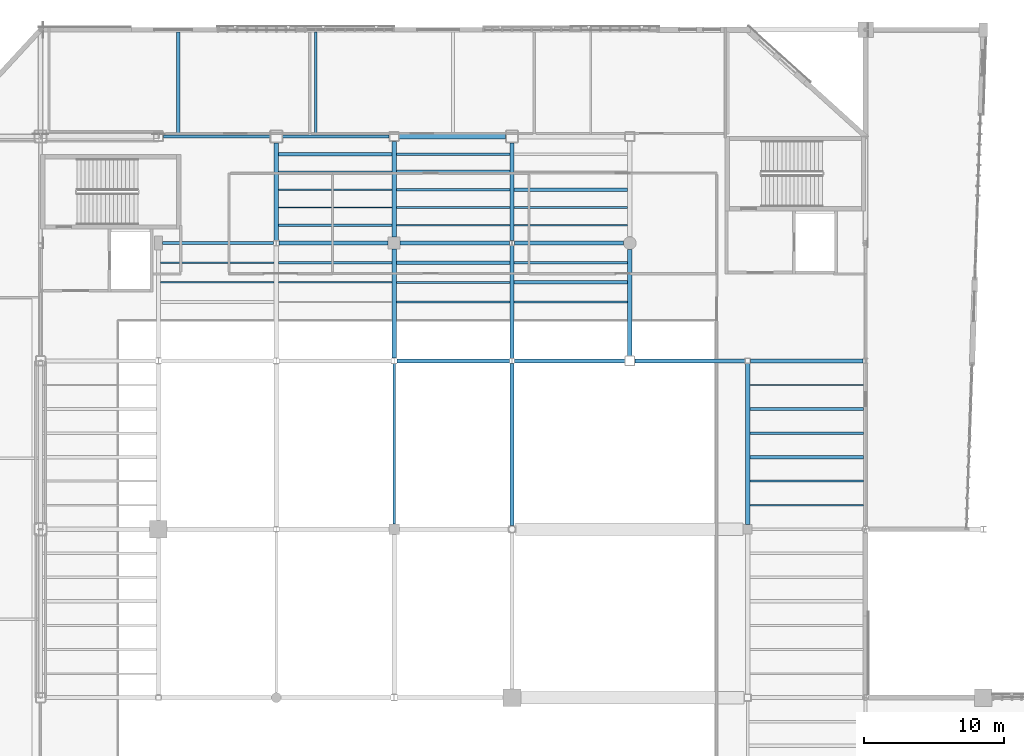
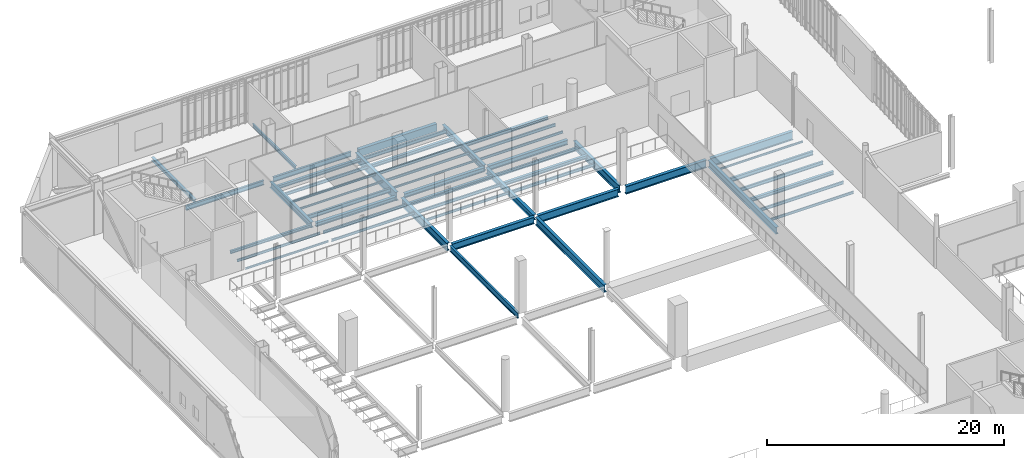
# One storey, part 34 of 127: 51 beams.
"""IFC4 building model written with IfcOpenShell, lengths in metres."""

from ifc_helpers import new_model, si_unit, direction, frame, origin, origin_2d, place, context, subcontext, project, spatial, rectangle, i_section, extrude, material, material_profile, profile_set, type_object, element, save


model = new_model("IFC4")

# Units and contexts
model_context = context("Model", 3, precision=1e-05, world=origin(), true_north=direction((0.0, 1.0)))
body_context = subcontext(model_context, "Body", "Model", "MODEL_VIEW")
ifc_project = project(units=[si_unit("LENGTHUNIT", "METRE"), si_unit("AREAUNIT", "SQUARE_METRE"), si_unit("VOLUMEUNIT", "CUBIC_METRE"), si_unit("PLANEANGLEUNIT", "RADIAN"), si_unit("MASSUNIT", "GRAM", prefix="KILO")], contexts=[model_context])

# Site, building, storey
site_placement = place(None, origin())
site = spatial("IfcSite", under=ifc_project, at=site_placement, CompositionType="ELEMENT")
building_placement = place(site_placement, origin())
building = spatial("IfcBuilding", under=site, at=building_placement, Name="Larkvane Passage Sports Hall", CompositionType="ELEMENT")
storey_placement = place(building_placement, frame((0.0, 0.0, 5.39990234375)))
storey = spatial("IfcBuildingStorey", under=building, at=storey_placement, Name="L01", CompositionType="ELEMENT", Elevation=5.39990234375)

# Beams
ifc_material_1 = material(Name="Steel S355JR", Category="steel")
ifc_material_profile_1 = material_profile(ifc_material_1, i_section(OverallWidth=0.199951171875, OverallDepth=0.2939453125, WebThickness=0.008056640625, FlangeThickness=0.011962890625, FilletRadius=0.012939453125, at=origin_2d()), Name="H-294x200x8x12")
ifc_profile_set_1 = profile_set([ifc_material_profile_1], Name="Steel S355JR")
beam_type_1 = type_object("IfcBeamType", Name="BM-STL-H294", PredefinedType="BEAM", material=ifc_profile_set_1)
beam_1_placement = place(storey_placement, frame((43.5, 84.0, -0.56689453125), z_axis=(1.0, 0.0, 0.0), x_axis=(0.0, 1.0, 0.0)))
element("IfcBeam", 1, at=beam_1_placement, inside=storey, type_object=beam_type_1, Name="Girder BM5-X-L01-K-0430", PredefinedType="BEAM", context=body_context, shape_type="SweptSolid", body=[
    extrude(i_section(OverallWidth=0.199951171875, OverallDepth=0.2939453125, WebThickness=0.008056640625, FlangeThickness=0.011962890625, FilletRadius=0.012939453125, at=origin_2d()), origin(), (0.0, 0.0, 1.0), 7.89990234375),
])
ifc_material_profile_2 = material_profile(ifc_material_1, i_section(OverallWidth=0.300048828125, OverallDepth=0.389892578125, WebThickness=0.010009765625, FlangeThickness=0.01611328125, FilletRadius=0.01806640625, at=origin_2d()), Name="H-390x300x10x16")
ifc_profile_set_2 = profile_set([ifc_material_profile_2], Name="Steel S355JR")
beam_type_2 = type_object("IfcBeamType", Name="BM-STL-H390", PredefinedType="BEAM", material=ifc_profile_set_2)
beam_2_placement = place(storey_placement, frame((51.800048828125, 84.0, -0.614990234375), z_axis=(1.0, 0.0, 0.0), x_axis=(0.0, 1.0, 0.0)))
element("IfcBeam", 2, at=beam_2_placement, inside=storey, type_object=beam_type_2, Name="Girder BM5-X-L01-K-0431", PredefinedType="BEAM", context=body_context, shape_type="SweptSolid", body=[
    extrude(i_section(OverallWidth=0.300048828125, OverallDepth=0.389892578125, WebThickness=0.010009765625, FlangeThickness=0.01611328125, FilletRadius=0.01806640625, at=origin_2d()), origin(), (0.0, 0.0, 1.0), 7.77490234375),
])
ifc_material_profile_3 = material_profile(ifc_material_1, i_section(OverallWidth=0.300048828125, OverallDepth=0.43994140625, WebThickness=0.010986328125, FlangeThickness=0.01806640625, FilletRadius=0.01806640625, at=origin_2d()), Name="H-440x300x11x18")
ifc_profile_set_3 = profile_set([ifc_material_profile_3], Name="Steel S355JR")
beam_type_3 = type_object("IfcBeamType", Name="BM-STL-H440", PredefinedType="BEAM", material=ifc_profile_set_3)
beam_3_placement = place(storey_placement, frame((60.425048828125, 84.0, -0.639892578125), z_axis=(1.0, 0.0, 0.0), x_axis=(0.0, 1.0, 0.0)))
element("IfcBeam", 3, at=beam_3_placement, inside=storey, type_object=beam_type_3, Name="Girder BM5-X-L01-K-0432", PredefinedType="BEAM", context=body_context, shape_type="SweptSolid", body=[
    extrude(i_section(OverallWidth=0.300048828125, OverallDepth=0.43994140625, WebThickness=0.010986328125, FlangeThickness=0.01806640625, FilletRadius=0.01806640625, at=origin_2d()), origin(), (0.0, 0.0, 1.0), 7.800048828125),
])
ifc_material_profile_4 = material_profile(ifc_material_1, i_section(OverallWidth=0.300048828125, OverallDepth=0.488037109375, WebThickness=0.010986328125, FlangeThickness=0.01806640625, FilletRadius=0.02197265625, at=origin_2d()), Name="H-488x300x11x18")
ifc_profile_set_4 = profile_set([ifc_material_profile_4], Name="Steel S355JR")
beam_type_4 = type_object("IfcBeamType", Name="BM-STL-H488", PredefinedType="BEAM", material=ifc_profile_set_4)
beam_4_placement = place(storey_placement, frame((68.574951171875, 84.0, -0.663818359375), z_axis=(1.0, 0.0, 0.0), x_axis=(0.0, 1.0, 0.0)))
element("IfcBeam", 4, at=beam_4_placement, inside=storey, type_object=beam_type_4, Name="Girder BM5-X-L01-K-0433", PredefinedType="BEAM", context=body_context, shape_type="SweptSolid", body=[
    extrude(i_section(OverallWidth=0.300048828125, OverallDepth=0.488037109375, WebThickness=0.010986328125, FlangeThickness=0.01806640625, FilletRadius=0.02197265625, at=origin_2d()), origin(), (0.0, 0.0, 1.0), 7.775146484375),
])
ifc_material_2 = material(Name="Steel S460N", Category="steel")
ifc_material_profile_5 = material_profile(ifc_material_2, i_section(OverallWidth=0.300048828125, OverallDepth=0.58203125, WebThickness=0.011962890625, FlangeThickness=0.01708984375, FilletRadius=0.02197265625, at=origin_2d()), Name="H-582x300x12x17")
ifc_profile_set_5 = profile_set([ifc_material_profile_5], Name="Steel S460N")
beam_type_5 = type_object("IfcBeamType", Name="BM-STL-H582", PredefinedType="BEAM", material=ifc_profile_set_5)
beam_5_placement = place(storey_placement, frame((51.60009765625, 84.199951171875, -0.7109375), z_axis=(0.0, 1.0, 0.0), x_axis=(-1.0, 0.0, 0.0)))
element("IfcBeam", 5, at=beam_5_placement, inside=storey, type_object=beam_type_5, Name="Girder BM5-Y-L01-8-0460", PredefinedType="BEAM", context=body_context, shape_type="SweptSolid", body=[
    extrude(i_section(OverallWidth=0.300048828125, OverallDepth=0.58203125, WebThickness=0.011962890625, FlangeThickness=0.01708984375, FilletRadius=0.02197265625, at=origin_2d()), origin(), (0.0, 0.0, 1.0), 6.949951171875),
])
beam_6_placement = place(storey_placement, frame((68.39990234375, 75.77490234375, -0.7109375), z_axis=(0.0, 1.0, 0.0), x_axis=(-1.0, 0.0, 0.0)))
element("IfcBeam", 6, at=beam_6_placement, inside=storey, type_object=beam_type_5, Name="Girder BM5-Y-L01-10-0473", PredefinedType="BEAM", context=body_context, shape_type="SweptSolid", body=[
    extrude(i_section(OverallWidth=0.300048828125, OverallDepth=0.58203125, WebThickness=0.011962890625, FlangeThickness=0.01708984375, FilletRadius=0.02197265625, at=origin_2d()), origin(), (0.0, 0.0, 1.0), 8.050048828125),
])
ifc_material_profile_6 = material_profile(ifc_material_2, i_section(OverallWidth=0.300048828125, OverallDepth=0.587890625, WebThickness=0.011962890625, FlangeThickness=0.02001953125, FilletRadius=0.02197265625, at=origin_2d()), Name="H-588x300x12x20")
ifc_profile_set_6 = profile_set([ifc_material_profile_6], Name="Steel S460N")
beam_type_6 = type_object("IfcBeamType", Name="BM-STL-H588", PredefinedType="BEAM", material=ifc_profile_set_6)
beam_7_placement = place(storey_placement, frame((68.39990234375, 84.175048828125, -0.7138671875), z_axis=(0.0, 1.0, 0.0), x_axis=(-1.0, 0.0, 0.0)))
element("IfcBeam", 7, at=beam_7_placement, inside=storey, type_object=beam_type_6, Name="Girder BM5-Y-L01-10-0474", PredefinedType="BEAM", context=body_context, shape_type="SweptSolid", body=[
    extrude(i_section(OverallWidth=0.300048828125, OverallDepth=0.587890625, WebThickness=0.011962890625, FlangeThickness=0.02001953125, FilletRadius=0.02197265625, at=origin_2d()), origin(), (0.0, 0.0, 1.0), 6.974853515625),
])
ifc_material_profile_7 = material_profile(ifc_material_1, i_section(OverallWidth=0.199951171875, OverallDepth=0.60009765625, WebThickness=0.010986328125, FlangeThickness=0.01708984375, FilletRadius=0.01806640625, at=origin_2d()), Name="H-600x200x11x17")
ifc_profile_set_7 = profile_set([ifc_material_profile_7], Name="Steel S355JR")
beam_type_7 = type_object("IfcBeamType", Name="BM-STL-H600", PredefinedType="BEAM", material=ifc_profile_set_7)
beam_8_placement = place(storey_placement, frame((60.0, 63.97509765625, -0.719970703125), z_axis=(0.0, 1.0, 0.0), x_axis=(-1.0, 0.0, 0.0)))
element("IfcBeam", 8, at=beam_8_placement, inside=storey, type_object=beam_type_7, Name="Girder BM5-Y-L01-9-0465", PredefinedType="BEAM", context=body_context, shape_type="SweptSolid", body=[
    extrude(i_section(OverallWidth=0.199951171875, OverallDepth=0.60009765625, WebThickness=0.010986328125, FlangeThickness=0.01708984375, FilletRadius=0.01806640625, at=origin_2d()), origin(), (0.0, 0.0, 1.0), 11.4248046875),
])
ifc_material_profile_8 = material_profile(ifc_material_2, i_section(OverallWidth=0.300048828125, OverallDepth=0.699951171875, WebThickness=0.012939453125, FlangeThickness=0.02392578125, FilletRadius=0.02197265625, at=origin_2d()), Name="H-700x300x13x24")
ifc_profile_set_8 = profile_set([ifc_material_profile_8], Name="Steel S460N")
beam_type_8 = type_object("IfcBeamType", Name="BM-STL-H700", PredefinedType="BEAM", material=ifc_profile_set_8)
beam_9_placement = place(storey_placement, frame((60.199951171875, 75.60009765625, -0.77001953125), z_axis=(1.0, 0.0, 0.0), x_axis=(0.0, 1.0, 0.0)))
element("IfcBeam", 9, at=beam_9_placement, inside=storey, type_object=beam_type_8, Name="Girder BM5-X-L01-J-0425", PredefinedType="BEAM", context=body_context, shape_type="SweptSolid", body=[
    extrude(i_section(OverallWidth=0.300048828125, OverallDepth=0.699951171875, WebThickness=0.012939453125, FlangeThickness=0.02392578125, FilletRadius=0.02197265625, at=origin_2d()), origin(), (0.0, 0.0, 1.0), 8.025146484375),
])
beam_10_placement = place(storey_placement, frame((85.199951171875, 63.925048828125, -0.77001953125), z_axis=(0.0, 1.0, 0.0), x_axis=(-1.0, 0.0, 0.0)))
element("IfcBeam", 10, at=beam_10_placement, inside=storey, type_object=beam_type_8, Name="Girder BM5-Y-L01-12-0483", PredefinedType="BEAM", context=body_context, shape_type="SweptSolid", body=[
    extrude(i_section(OverallWidth=0.300048828125, OverallDepth=0.699951171875, WebThickness=0.012939453125, FlangeThickness=0.02392578125, FilletRadius=0.02197265625, at=origin_2d()), origin(), (0.0, 0.0, 1.0), 11.474853515625),
])
ifc_material_profile_9 = material_profile(ifc_material_2, i_section(OverallWidth=0.300048828125, OverallDepth=0.7919921875, WebThickness=0.013916015625, FlangeThickness=0.02197265625, FilletRadius=0.02197265625, at=origin_2d()), Name="H-792x300x14x22")
ifc_profile_set_9 = profile_set([ifc_material_profile_9], Name="Steel S460N")
beam_type_9 = type_object("IfcBeamType", Name="BM-STL-H792", PredefinedType="BEAM", material=ifc_profile_set_9)
beam_11_placement = place(storey_placement, frame((68.574951171875, 75.60009765625, -0.81591796875), z_axis=(1.0, 0.0, 0.0), x_axis=(0.0, 1.0, 0.0)))
element("IfcBeam", 11, at=beam_11_placement, inside=storey, type_object=beam_type_9, Name="Girder BM5-X-L01-J-0426", PredefinedType="BEAM", context=body_context, shape_type="SweptSolid", body=[
    extrude(i_section(OverallWidth=0.300048828125, OverallDepth=0.7919921875, WebThickness=0.013916015625, FlangeThickness=0.02197265625, FilletRadius=0.02197265625, at=origin_2d()), origin(), (0.0, 0.0, 1.0), 7.875),
])
beam_12_placement = place(storey_placement, frame((68.39990234375, 63.85400390625, -0.81591796875), z_axis=(0.0, 1.0, 0.0), x_axis=(-1.0, 0.0, 0.0)))
element("IfcBeam", 12, at=beam_12_placement, inside=storey, type_object=beam_type_9, Name="Girder BM5-Y-L01-10-0472", PredefinedType="BEAM", context=body_context, shape_type="SweptSolid", body=[
    extrude(i_section(OverallWidth=0.300048828125, OverallDepth=0.7919921875, WebThickness=0.013916015625, FlangeThickness=0.02197265625, FilletRadius=0.02197265625, at=origin_2d()), origin(), (0.0, 0.0, 1.0), 11.571044921875),
])
beam_13_placement = place(storey_placement, frame((76.800048828125, 75.949951171875, -0.81591796875), z_axis=(0.0, 1.0, 0.0), x_axis=(-1.0, 0.0, 0.0)))
element("IfcBeam", 13, at=beam_13_placement, inside=storey, type_object=beam_type_9, Name="Girder BM5-Y-L01-11-0478", PredefinedType="BEAM", context=body_context, shape_type="SweptSolid", body=[
    extrude(i_section(OverallWidth=0.300048828125, OverallDepth=0.7919921875, WebThickness=0.013916015625, FlangeThickness=0.02197265625, FilletRadius=0.02197265625, at=origin_2d()), origin(), (0.0, 0.0, 1.0), 7.60009765625),
])
ifc_material_profile_10 = material_profile(ifc_material_2, i_section(OverallWidth=0.300048828125, OverallDepth=0.800048828125, WebThickness=0.013916015625, FlangeThickness=0.02587890625, FilletRadius=0.02197265625, at=origin_2d()), Name="H-800x300x14x26")
ifc_profile_set_10 = profile_set([ifc_material_profile_10], Name="Steel S460N")
beam_type_10 = type_object("IfcBeamType", Name="BM-STL-H800", PredefinedType="BEAM", material=ifc_profile_set_10)
beam_14_placement = place(storey_placement, frame((77.14990234375, 75.60009765625, -0.81982421875), z_axis=(1.0, 0.0, 0.0), x_axis=(0.0, 1.0, 0.0)))
element("IfcBeam", 14, at=beam_14_placement, inside=storey, type_object=beam_type_10, Name="Girder BM5-X-L01-J-0427", PredefinedType="BEAM", context=body_context, shape_type="SweptSolid", body=[
    extrude(i_section(OverallWidth=0.300048828125, OverallDepth=0.800048828125, WebThickness=0.013916015625, FlangeThickness=0.02587890625, FilletRadius=0.02197265625, at=origin_2d()), origin(), (0.0, 0.0, 1.0), 7.85009765625),
])
beam_15_placement = place(storey_placement, frame((60.0, 75.800048828125, -0.81982421875), z_axis=(0.0, 1.0, 0.0), x_axis=(-1.0, 0.0, 0.0)))
element("IfcBeam", 15, at=beam_15_placement, inside=storey, type_object=beam_type_10, Name="Girder BM5-Y-L01-9-0466", PredefinedType="BEAM", context=body_context, shape_type="SweptSolid", body=[
    extrude(i_section(OverallWidth=0.300048828125, OverallDepth=0.800048828125, WebThickness=0.013916015625, FlangeThickness=0.02587890625, FilletRadius=0.02197265625, at=origin_2d()), origin(), (0.0, 0.0, 1.0), 7.77490234375),
])
ifc_material_profile_11 = material_profile(ifc_material_2, i_section(OverallWidth=0.299072265625, OverallDepth=0.889892578125, WebThickness=0.014892578125, FlangeThickness=0.02294921875, FilletRadius=0.02197265625, at=origin_2d()), Name="H-890x299x15x23")
ifc_profile_set_11 = profile_set([ifc_material_profile_11], Name="Steel S460N")
beam_type_11 = type_object("IfcBeamType", Name="BM-STL-H890", PredefinedType="BEAM", material=ifc_profile_set_11)
beam_16_placement = place(storey_placement, frame((85.39990234375, 75.60009765625, -0.864990234375), z_axis=(1.0, 0.0, 0.0), x_axis=(0.0, 1.0, 0.0)))
element("IfcBeam", 16, at=beam_16_placement, inside=storey, type_object=beam_type_11, Name="Girder BM5-X-L01-J-0428", PredefinedType="BEAM", context=body_context, shape_type="SweptSolid", body=[
    extrude(i_section(OverallWidth=0.299072265625, OverallDepth=0.889892578125, WebThickness=0.014892578125, FlangeThickness=0.02294921875, FilletRadius=0.02197265625, at=origin_2d()), origin(), (0.0, 0.0, 1.0), 8.025146484375),
])
beam_17_placement = place(storey_placement, frame((60.0, 84.425048828125, -0.864990234375), z_axis=(0.0, 1.0, 0.0), x_axis=(-1.0, 0.0, 0.0)))
element("IfcBeam", 17, at=beam_17_placement, inside=storey, type_object=beam_type_11, Name="Girder BM5-Y-L01-9-0467", PredefinedType="BEAM", context=body_context, shape_type="SweptSolid", body=[
    extrude(i_section(OverallWidth=0.299072265625, OverallDepth=0.889892578125, WebThickness=0.014892578125, FlangeThickness=0.02294921875, FilletRadius=0.02197265625, at=origin_2d()), origin(), (0.0, 0.0, 1.0), 6.824951171875),
])
ifc_material_profile_12 = material_profile(ifc_material_1, i_section(OverallWidth=0.10009765625, OverallDepth=0.199951171875, WebThickness=0.005615234375, FlangeThickness=0.008056640625, FilletRadius=0.008056640625, at=origin_2d()), Name="H-200x100x5.5x8")
ifc_profile_set_12 = profile_set([ifc_material_profile_12], Name="Steel S355JR")
beam_type_12 = type_object("IfcBeamType", Name="JST-STL-H200", PredefinedType="JOIST", material=ifc_profile_set_12)
beam_18_placement = place(storey_placement, frame((43.35009765625, 81.199951171875, -0.52001953125), z_axis=(1.0, 0.0, 0.0), x_axis=(0.0, 1.0, 0.0)))
element("IfcBeam", 18, at=beam_18_placement, inside=storey, type_object=beam_type_12, Name="Composite joist L01 7/J-4", PredefinedType="JOIST", context=body_context, shape_type="SweptSolid", body=[
    extrude(i_section(OverallWidth=0.10009765625, OverallDepth=0.199951171875, WebThickness=0.005615234375, FlangeThickness=0.008056640625, FilletRadius=0.008056640625, at=origin_2d()), origin(), (0.0, 0.0, 1.0), 8.099853515625),
])
for number, where, z_axis, x_axis, name in (
    (19, (51.75, 86.533447265625, -0.52001953125), (1.0, 0.0, 0.0), (0.0, 1.0, 0.0), "Composite joist L01 8/K-2"),
    (20, (60.1494140625, 85.2666015625, -0.52001953125), (1.0, 0.0, 0.0), (0.0, 1.0, 0.0), "Composite joist L01 9/K-1"),
):
    element("IfcBeam", number, at=place(storey_placement, frame(where, z_axis=z_axis, x_axis=x_axis)), inside=storey, type_object=beam_type_12, Name=name, PredefinedType="JOIST", context=body_context, shape_type="SweptSolid", body=[
        extrude(i_section(OverallWidth=0.10009765625, OverallDepth=0.199951171875, WebThickness=0.005615234375, FlangeThickness=0.008056640625, FilletRadius=0.008056640625, at=origin_2d()), origin(), (0.0, 0.0, 1.0), 8.1005859375),
    ])
beam_19_placement = place(storey_placement, frame((85.35009765625, 73.8857421875, -0.52001953125), z_axis=(1.0, 0.0, 0.0), x_axis=(0.0, 1.0, 0.0)))
element("IfcBeam", 21, at=beam_19_placement, inside=storey, type_object=beam_type_12, Name="Composite joist L01 12/H-6", PredefinedType="JOIST", context=body_context, shape_type="SweptSolid", body=[
    extrude(i_section(OverallWidth=0.10009765625, OverallDepth=0.199951171875, WebThickness=0.005615234375, FlangeThickness=0.008056640625, FilletRadius=0.008056640625, at=origin_2d()), origin(), (0.0, 0.0, 1.0), 8.099853515625),
])
ifc_material_profile_13 = material_profile(ifc_material_1, i_section(OverallWidth=0.125, OverallDepth=0.25, WebThickness=0.006103515625, FlangeThickness=0.009033203125, FilletRadius=0.008056640625, at=origin_2d()), Name="H-250x125x6x9")
ifc_profile_set_13 = profile_set([ifc_material_profile_13], Name="Steel S355JR")
beam_type_13 = type_object("IfcBeamType", Name="JST-STL-H250", PredefinedType="JOIST", material=ifc_profile_set_13)
beam_20_placement = place(storey_placement, frame((43.35009765625, 82.60009765625, -0.544921875), z_axis=(1.0, 0.0, 0.0), x_axis=(0.0, 1.0, 0.0)))
element("IfcBeam", 22, at=beam_20_placement, inside=storey, type_object=beam_type_13, Name="Composite joist L01 7/J-5", PredefinedType="JOIST", context=body_context, shape_type="SweptSolid", body=[
    extrude(i_section(OverallWidth=0.125, OverallDepth=0.25, WebThickness=0.006103515625, FlangeThickness=0.009033203125, FilletRadius=0.008056640625, at=origin_2d()), origin(), (0.0, 0.0, 1.0), 8.099853515625),
])
beam_21_placement = place(storey_placement, frame((51.75, 81.199951171875, -0.544921875), z_axis=(1.0, 0.0, 0.0), x_axis=(0.0, 1.0, 0.0)))
element("IfcBeam", 23, at=beam_21_placement, inside=storey, type_object=beam_type_13, Name="Composite joist L01 8/J-4", PredefinedType="JOIST", context=body_context, shape_type="SweptSolid", body=[
    extrude(i_section(OverallWidth=0.125, OverallDepth=0.25, WebThickness=0.006103515625, FlangeThickness=0.009033203125, FilletRadius=0.008056640625, at=origin_2d()), origin(), (0.0, 0.0, 1.0), 8.10009765625),
])
beam_22_placement = place(storey_placement, frame((51.75, 87.800048828125, -0.544921875), z_axis=(1.0, 0.0, 0.0), x_axis=(0.0, 1.0, 0.0)))
element("IfcBeam", 24, at=beam_22_placement, inside=storey, type_object=beam_type_13, Name="Composite joist L01 8/K-3", PredefinedType="JOIST", context=body_context, shape_type="SweptSolid", body=[
    extrude(i_section(OverallWidth=0.125, OverallDepth=0.25, WebThickness=0.006103515625, FlangeThickness=0.009033203125, FilletRadius=0.008056640625, at=origin_2d()), origin(), (0.0, 0.0, 1.0), 8.1005859375),
])
beam_23_placement = place(storey_placement, frame((60.14990234375, 79.800048828125, -0.544921875), z_axis=(1.0, 0.0, 0.0), x_axis=(0.0, 1.0, 0.0)))
element("IfcBeam", 25, at=beam_23_placement, inside=storey, type_object=beam_type_13, Name="Composite joist L01 9/J-3", PredefinedType="JOIST", context=body_context, shape_type="SweptSolid", body=[
    extrude(i_section(OverallWidth=0.125, OverallDepth=0.25, WebThickness=0.006103515625, FlangeThickness=0.009033203125, FilletRadius=0.008056640625, at=origin_2d()), origin(), (0.0, 0.0, 1.0), 8.10009765625),
])
beam_24_placement = place(storey_placement, frame((60.1494140625, 86.533447265625, -0.544921875), z_axis=(1.0, 0.0, 0.0), x_axis=(0.0, 1.0, 0.0)))
element("IfcBeam", 26, at=beam_24_placement, inside=storey, type_object=beam_type_13, Name="Composite joist L01 9/K-2", PredefinedType="JOIST", context=body_context, shape_type="SweptSolid", body=[
    extrude(i_section(OverallWidth=0.125, OverallDepth=0.25, WebThickness=0.006103515625, FlangeThickness=0.009033203125, FilletRadius=0.008056640625, at=origin_2d()), origin(), (0.0, 0.0, 1.0), 8.1005859375),
])
for number, where, z_axis, x_axis, name in (
    (27, (68.550048828125, 85.2666015625, -0.544921875), (1.0, 0.0, 0.0), (0.0, 1.0, 0.0), "Composite joist L01 10/K-1"),
    (28, (85.35009765625, 65.314208984375, -0.544921875), (1.0, 0.0, 0.0), (0.0, 1.0, 0.0), "Composite joist L01 12/H-1"),
):
    element("IfcBeam", number, at=place(storey_placement, frame(where, z_axis=z_axis, x_axis=x_axis)), inside=storey, type_object=beam_type_13, Name=name, PredefinedType="JOIST", context=body_context, shape_type="SweptSolid", body=[
        extrude(i_section(OverallWidth=0.125, OverallDepth=0.25, WebThickness=0.006103515625, FlangeThickness=0.009033203125, FilletRadius=0.008056640625, at=origin_2d()), origin(), (0.0, 0.0, 1.0), 8.099853515625),
    ])
ifc_material_profile_14 = material_profile(ifc_material_1, i_section(OverallWidth=0.14990234375, OverallDepth=0.300048828125, WebThickness=0.006591796875, FlangeThickness=0.009033203125, FilletRadius=0.012939453125, at=origin_2d()), Name="H-300x150x6.5x9")
ifc_profile_set_14 = profile_set([ifc_material_profile_14], Name="Steel S355JR")
beam_type_14 = type_object("IfcBeamType", Name="JST-STL-H300", PredefinedType="JOIST", material=ifc_profile_set_14)
beam_25_placement = place(storey_placement, frame((51.75, 82.60009765625, -0.56982421875), z_axis=(1.0, 0.0, 0.0), x_axis=(0.0, 1.0, 0.0)))
element("IfcBeam", 29, at=beam_25_placement, inside=storey, type_object=beam_type_14, Name="Composite joist L01 8/J-5", PredefinedType="JOIST", context=body_context, shape_type="SweptSolid", body=[
    extrude(i_section(OverallWidth=0.14990234375, OverallDepth=0.300048828125, WebThickness=0.006591796875, FlangeThickness=0.009033203125, FilletRadius=0.012939453125, at=origin_2d()), origin(), (0.0, 0.0, 1.0), 8.10009765625),
])
beam_26_placement = place(storey_placement, frame((51.75, 89.066650390625, -0.56982421875), z_axis=(1.0, 0.0, 0.0), x_axis=(0.0, 1.0, 0.0)))
element("IfcBeam", 30, at=beam_26_placement, inside=storey, type_object=beam_type_14, Name="Composite joist L01 8/K-4", PredefinedType="JOIST", context=body_context, shape_type="SweptSolid", body=[
    extrude(i_section(OverallWidth=0.14990234375, OverallDepth=0.300048828125, WebThickness=0.006591796875, FlangeThickness=0.009033203125, FilletRadius=0.012939453125, at=origin_2d()), origin(), (0.0, 0.0, 1.0), 8.1005859375),
])
beam_27_placement = place(storey_placement, frame((60.14990234375, 81.199951171875, -0.56982421875), z_axis=(1.0, 0.0, 0.0), x_axis=(0.0, 1.0, 0.0)))
element("IfcBeam", 31, at=beam_27_placement, inside=storey, type_object=beam_type_14, Name="Composite joist L01 9/J-4", PredefinedType="JOIST", context=body_context, shape_type="SweptSolid", body=[
    extrude(i_section(OverallWidth=0.14990234375, OverallDepth=0.300048828125, WebThickness=0.006591796875, FlangeThickness=0.009033203125, FilletRadius=0.012939453125, at=origin_2d()), origin(), (0.0, 0.0, 1.0), 8.10009765625),
])
beam_28_placement = place(storey_placement, frame((60.1494140625, 87.800048828125, -0.56982421875), z_axis=(1.0, 0.0, 0.0), x_axis=(0.0, 1.0, 0.0)))
element("IfcBeam", 32, at=beam_28_placement, inside=storey, type_object=beam_type_14, Name="Composite joist L01 9/K-3", PredefinedType="JOIST", context=body_context, shape_type="SweptSolid", body=[
    extrude(i_section(OverallWidth=0.14990234375, OverallDepth=0.300048828125, WebThickness=0.006591796875, FlangeThickness=0.009033203125, FilletRadius=0.012939453125, at=origin_2d()), origin(), (0.0, 0.0, 1.0), 8.1005859375),
])
for number, where, z_axis, x_axis, name in (
    (33, (68.550048828125, 79.800048828125, -0.56982421875), (1.0, 0.0, 0.0), (0.0, 1.0, 0.0), "Composite joist L01 10/J-3"),
    (34, (68.550048828125, 86.533447265625, -0.56982421875), (1.0, 0.0, 0.0), (0.0, 1.0, 0.0), "Composite joist L01 10/K-2"),
    (35, (85.35009765625, 67.028564453125, -0.56982421875), (1.0, 0.0, 0.0), (0.0, 1.0, 0.0), "Composite joist L01 12/H-2"),
):
    element("IfcBeam", number, at=place(storey_placement, frame(where, z_axis=z_axis, x_axis=x_axis)), inside=storey, type_object=beam_type_14, Name=name, PredefinedType="JOIST", context=body_context, shape_type="SweptSolid", body=[
        extrude(i_section(OverallWidth=0.14990234375, OverallDepth=0.300048828125, WebThickness=0.006591796875, FlangeThickness=0.009033203125, FilletRadius=0.012939453125, at=origin_2d()), origin(), (0.0, 0.0, 1.0), 8.099853515625),
    ])
ifc_material_profile_15 = material_profile(ifc_material_1, i_section(OverallWidth=0.25, OverallDepth=0.340087890625, WebThickness=0.009033203125, FlangeThickness=0.013916015625, FilletRadius=0.012939453125, at=origin_2d()), Name="H-340x250x9x14")
ifc_profile_set_15 = profile_set([ifc_material_profile_15], Name="Steel S355JR")
beam_type_15 = type_object("IfcBeamType", Name="JST-STL-H340", PredefinedType="JOIST", material=ifc_profile_set_15)
beam_29_placement = place(storey_placement, frame((51.75, 90.333251953125, -0.58984375), z_axis=(1.0, 0.0, 0.0), x_axis=(0.0, 1.0, 0.0)))
element("IfcBeam", 36, at=beam_29_placement, inside=storey, type_object=beam_type_15, Name="Composite joist L01 8/K-5", PredefinedType="JOIST", context=body_context, shape_type="SweptSolid", body=[
    extrude(i_section(OverallWidth=0.25, OverallDepth=0.340087890625, WebThickness=0.009033203125, FlangeThickness=0.013916015625, FilletRadius=0.012939453125, at=origin_2d()), origin(), (0.0, 0.0, 1.0), 8.1005859375),
])
beam_30_placement = place(storey_placement, frame((60.14990234375, 82.60009765625, -0.58984375), z_axis=(1.0, 0.0, 0.0), x_axis=(0.0, 1.0, 0.0)))
element("IfcBeam", 37, at=beam_30_placement, inside=storey, type_object=beam_type_15, Name="Composite joist L01 9/J-5", PredefinedType="JOIST", context=body_context, shape_type="SweptSolid", body=[
    extrude(i_section(OverallWidth=0.25, OverallDepth=0.340087890625, WebThickness=0.009033203125, FlangeThickness=0.013916015625, FilletRadius=0.012939453125, at=origin_2d()), origin(), (0.0, 0.0, 1.0), 8.10009765625),
])
beam_31_placement = place(storey_placement, frame((60.1494140625, 89.066650390625, -0.58984375), z_axis=(1.0, 0.0, 0.0), x_axis=(0.0, 1.0, 0.0)))
element("IfcBeam", 38, at=beam_31_placement, inside=storey, type_object=beam_type_15, Name="Composite joist L01 9/K-4", PredefinedType="JOIST", context=body_context, shape_type="SweptSolid", body=[
    extrude(i_section(OverallWidth=0.25, OverallDepth=0.340087890625, WebThickness=0.009033203125, FlangeThickness=0.013916015625, FilletRadius=0.012939453125, at=origin_2d()), origin(), (0.0, 0.0, 1.0), 8.1005859375),
])
for number, where, z_axis, x_axis, name in (
    (39, (68.550048828125, 81.199951171875, -0.58984375), (1.0, 0.0, 0.0), (0.0, 1.0, 0.0), "Composite joist L01 10/J-4"),
    (40, (68.550048828125, 87.800048828125, -0.58984375), (1.0, 0.0, 0.0), (0.0, 1.0, 0.0), "Composite joist L01 10/K-3"),
    (41, (85.35009765625, 68.742919921875, -0.58984375), (1.0, 0.0, 0.0), (0.0, 1.0, 0.0), "Composite joist L01 12/H-3"),
):
    element("IfcBeam", number, at=place(storey_placement, frame(where, z_axis=z_axis, x_axis=x_axis)), inside=storey, type_object=beam_type_15, Name=name, PredefinedType="JOIST", context=body_context, shape_type="SweptSolid", body=[
        extrude(i_section(OverallWidth=0.25, OverallDepth=0.340087890625, WebThickness=0.009033203125, FlangeThickness=0.013916015625, FilletRadius=0.012939453125, at=origin_2d()), origin(), (0.0, 0.0, 1.0), 8.099853515625),
    ])
beam_32_placement = place(storey_placement, frame((44.60009765625, 91.760009765625, -0.39990234375), z_axis=(0.0, 1.0, 0.0), x_axis=(-1.0, 0.0, 0.0)))
element("IfcBeam", 42, at=beam_32_placement, inside=storey, type_object=beam_type_15, Name="Cantilever floor joist CT-N1A--2-1", PredefinedType="JOIST", context=body_context, shape_type="SweptSolid", body=[
    extrude(i_section(OverallWidth=0.25, OverallDepth=0.340087890625, WebThickness=0.009033203125, FlangeThickness=0.013916015625, FilletRadius=0.012939453125, at=origin_2d()), origin(), (0.0, 0.0, 1.0), 7.280029296875),
])
ifc_material_profile_16 = material_profile(ifc_material_1, i_section(OverallWidth=0.175048828125, OverallDepth=0.35009765625, WebThickness=0.007080078125, FlangeThickness=0.010986328125, FilletRadius=0.012939453125, at=origin_2d()), Name="H-350x175x7x11")
ifc_profile_set_16 = profile_set([ifc_material_profile_16], Name="Steel S355JR")
beam_type_16 = type_object("IfcBeamType", Name="JST-STL-H350", PredefinedType="JOIST", material=ifc_profile_set_16)
beam_33_placement = place(storey_placement, frame((60.1494140625, 90.333251953125, -0.594970703125), z_axis=(1.0, 0.0, 0.0), x_axis=(0.0, 1.0, 0.0)))
element("IfcBeam", 43, at=beam_33_placement, inside=storey, type_object=beam_type_16, Name="Composite joist L01 9/K-5", PredefinedType="JOIST", context=body_context, shape_type="SweptSolid", body=[
    extrude(i_section(OverallWidth=0.175048828125, OverallDepth=0.35009765625, WebThickness=0.007080078125, FlangeThickness=0.010986328125, FilletRadius=0.012939453125, at=origin_2d()), origin(), (0.0, 0.0, 1.0), 8.1005859375),
])
for number, where, z_axis, x_axis, name in (
    (44, (68.550048828125, 82.60009765625, -0.594970703125), (1.0, 0.0, 0.0), (0.0, 1.0, 0.0), "Composite joist L01 10/J-5"),
    (45, (85.35009765625, 70.45703125, -0.594970703125), (1.0, 0.0, 0.0), (0.0, 1.0, 0.0), "Composite joist L01 12/H-4"),
):
    element("IfcBeam", number, at=place(storey_placement, frame(where, z_axis=z_axis, x_axis=x_axis)), inside=storey, type_object=beam_type_16, Name=name, PredefinedType="JOIST", context=body_context, shape_type="SweptSolid", body=[
        extrude(i_section(OverallWidth=0.175048828125, OverallDepth=0.35009765625, WebThickness=0.007080078125, FlangeThickness=0.010986328125, FilletRadius=0.012939453125, at=origin_2d()), origin(), (0.0, 0.0, 1.0), 8.099853515625),
    ])
beam_34_placement = place(storey_placement, frame((54.39990234375, 91.760009765625, -0.40478515625), z_axis=(0.0, 1.0, 0.0), x_axis=(-1.0, 0.0, 0.0)))
element("IfcBeam", 46, at=beam_34_placement, inside=storey, type_object=beam_type_16, Name="Cantilever floor joist CT-N1A--2-2", PredefinedType="JOIST", context=body_context, shape_type="SweptSolid", body=[
    extrude(i_section(OverallWidth=0.175048828125, OverallDepth=0.35009765625, WebThickness=0.007080078125, FlangeThickness=0.010986328125, FilletRadius=0.012939453125, at=origin_2d()), origin(), (0.0, 0.0, 1.0), 7.280029296875),
])
ifc_material_profile_17 = material_profile(ifc_material_1, i_section(OverallWidth=0.199951171875, OverallDepth=0.39990234375, WebThickness=0.008056640625, FlangeThickness=0.012939453125, FilletRadius=0.012939453125, at=origin_2d()), Name="H-400x200x8x13")
ifc_profile_set_17 = profile_set([ifc_material_profile_17], Name="Steel S355JR")
beam_type_17 = type_object("IfcBeamType", Name="JST-STL-H400", PredefinedType="JOIST", material=ifc_profile_set_17)
beam_35_placement = place(storey_placement, frame((51.75, 85.2666015625, -0.619873046875), z_axis=(1.0, 0.0, 0.0), x_axis=(0.0, 1.0, 0.0)))
element("IfcBeam", 47, at=beam_35_placement, inside=storey, type_object=beam_type_17, Name="Composite joist L01 8/K-1", PredefinedType="JOIST", context=body_context, shape_type="SweptSolid", body=[
    extrude(i_section(OverallWidth=0.199951171875, OverallDepth=0.39990234375, WebThickness=0.008056640625, FlangeThickness=0.012939453125, FilletRadius=0.012939453125, at=origin_2d()), origin(), (0.0, 0.0, 1.0), 8.1005859375),
])
beam_36_placement = place(storey_placement, frame((85.35009765625, 72.17138671875, -0.619873046875), z_axis=(1.0, 0.0, 0.0), x_axis=(0.0, 1.0, 0.0)))
element("IfcBeam", 48, at=beam_36_placement, inside=storey, type_object=beam_type_17, Name="Composite joist L01 12/H-5", PredefinedType="JOIST", context=body_context, shape_type="SweptSolid", body=[
    extrude(i_section(OverallWidth=0.199951171875, OverallDepth=0.39990234375, WebThickness=0.008056640625, FlangeThickness=0.012939453125, FilletRadius=0.012939453125, at=origin_2d()), origin(), (0.0, 0.0, 1.0), 8.099853515625),
])
ifc_material_3 = material(Name="Concrete C40/50", Category="concrete")
ifc_material_profile_18 = material_profile(ifc_material_3, rectangle(XDim=0.35009765625, YDim=0.75, at=origin_2d()), Name="RC-SP-350x750")
ifc_profile_set_18 = profile_set([ifc_material_profile_18], Name="Concrete C40/50")
beam_type_18 = type_object("IfcBeamType", Name="SP-RC-350x750", PredefinedType="SPANDREL", material=ifc_profile_set_18)
beam_37_placement = place(storey_placement, frame((60.35009765625, 91.60009765625, -0.794921875), z_axis=(1.0, 0.0, 0.0), x_axis=(0.0, 1.0, 0.0)))
element("IfcBeam", 49, at=beam_37_placement, inside=storey, type_object=beam_type_18, Name="Girder BM5-X-L01-L-0437", PredefinedType="SPANDREL", context=body_context, shape_type="SweptSolid", body=[
    extrude(rectangle(XDim=0.35009765625, YDim=0.75, at=origin_2d()), origin(), (0.0, 0.0, 1.0), 7.599853515625),
])
ifc_material_profile_19 = material_profile(ifc_material_1, i_section(OverallWidth=0.199951171875, OverallDepth=0.449951171875, WebThickness=0.009033203125, FlangeThickness=0.013916015625, FilletRadius=0.01806640625, at=origin_2d()), Name="H-450x200x9x14")
ifc_profile_set_19 = profile_set([ifc_material_profile_19], Name="Steel S355JR")
beam_type_19 = type_object("IfcBeamType", Name="SP-STL-H450", PredefinedType="SPANDREL", material=ifc_profile_set_19)
beam_38_placement = place(storey_placement, frame((43.550048828125, 91.60009765625, -0.64501953125), z_axis=(1.0, 0.0, 0.0), x_axis=(0.0, 1.0, 0.0)))
element("IfcBeam", 50, at=beam_38_placement, inside=storey, type_object=beam_type_19, Name="Girder BM5-X-L01-L-0435", PredefinedType="SPANDREL", context=body_context, shape_type="SweptSolid", body=[
    extrude(i_section(OverallWidth=0.199951171875, OverallDepth=0.449951171875, WebThickness=0.009033203125, FlangeThickness=0.013916015625, FilletRadius=0.01806640625, at=origin_2d()), origin(), (0.0, 0.0, 1.0), 7.599853515625),
])
ifc_material_profile_20 = material_profile(ifc_material_1, i_section(OverallWidth=0.199951171875, OverallDepth=0.5, WebThickness=0.010009765625, FlangeThickness=0.01611328125, FilletRadius=0.01806640625, at=origin_2d()), Name="H-500x200x10x16")
ifc_profile_set_20 = profile_set([ifc_material_profile_20], Name="Steel S355JR")
beam_type_20 = type_object("IfcBeamType", Name="SP-STL-H500", PredefinedType="SPANDREL", material=ifc_profile_set_20)
beam_39_placement = place(storey_placement, frame((52.050048828125, 91.60009765625, -0.669921875), z_axis=(1.0, 0.0, 0.0), x_axis=(0.0, 1.0, 0.0)))
element("IfcBeam", 51, at=beam_39_placement, inside=storey, type_object=beam_type_20, Name="Girder BM5-X-L01-L-0436", PredefinedType="SPANDREL", context=body_context, shape_type="SweptSolid", body=[
    extrude(i_section(OverallWidth=0.199951171875, OverallDepth=0.5, WebThickness=0.010009765625, FlangeThickness=0.01611328125, FilletRadius=0.01806640625, at=origin_2d()), origin(), (0.0, 0.0, 1.0), 7.599853515625),
])

save(model, "model.ifc")
